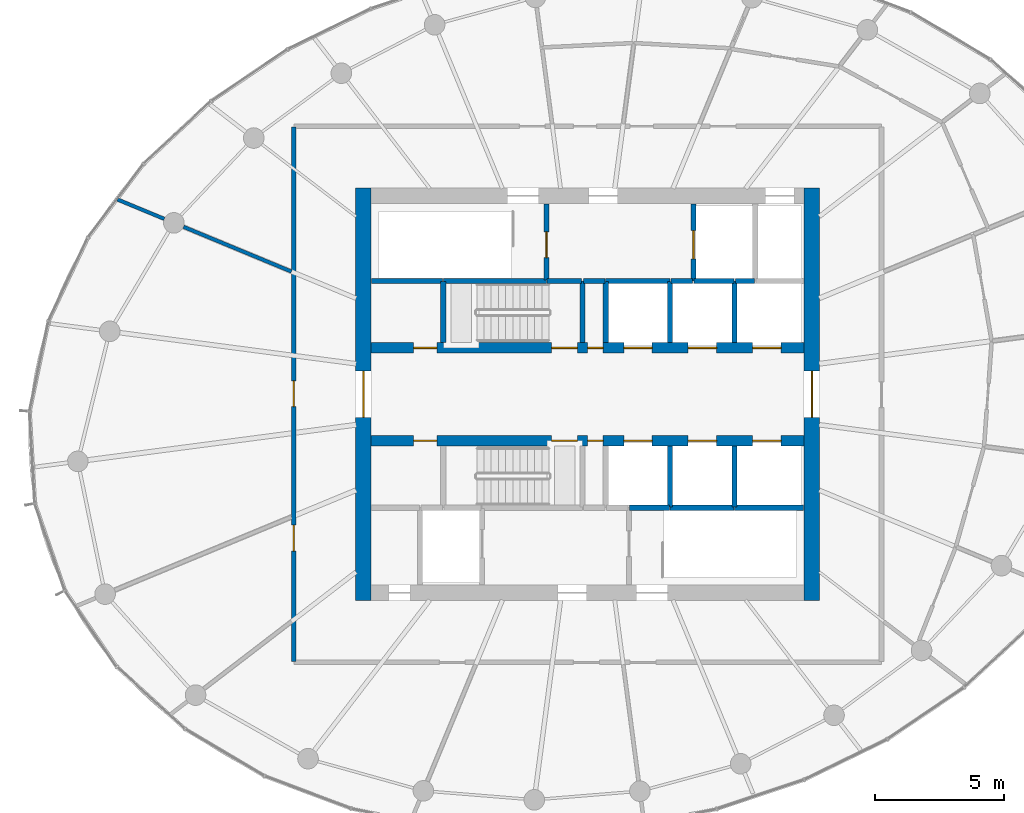
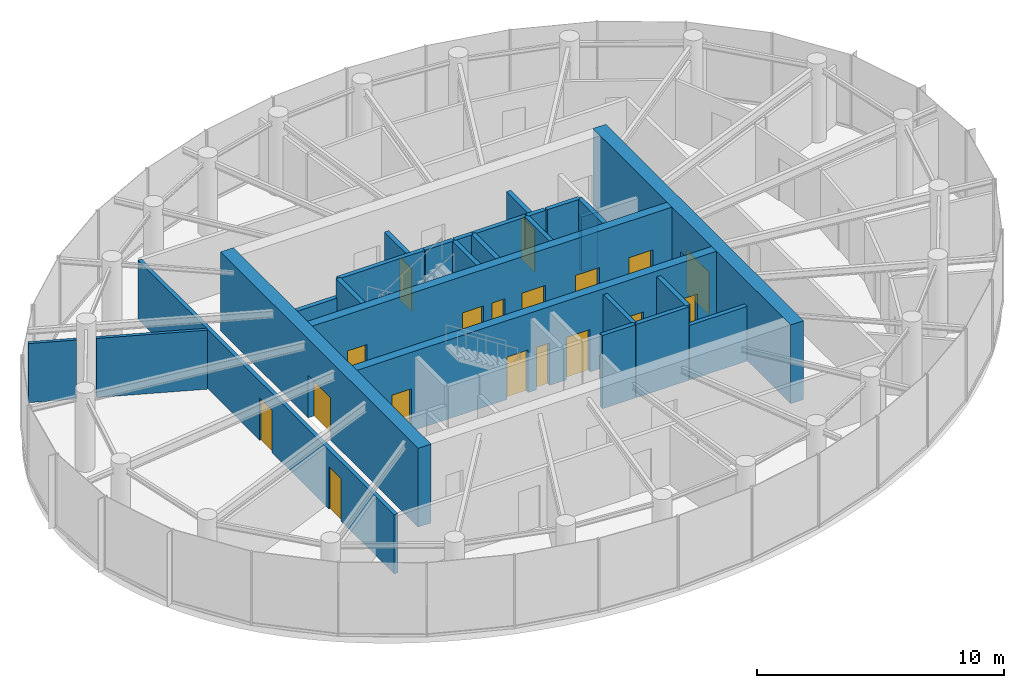
# One storey, part 9 of 13: 27 walls, 18 doors, 18 openings.
"""IFC4 building model written with IfcOpenShell, lengths in metres."""

from ifc_helpers import new_model, si_unit, direction, frame, frame_2d, origin, place, context, subcontext, project, spatial, rectangle, extrude, source, transform, mapped, material, layer, layer_set, type_object, element, fill, save


model = new_model("IFC4")

# Units and contexts
model_context = context("Model", 3, precision=1e-05, world=origin(), true_north=direction((0.0, 1.0)))
body_context = subcontext(model_context, "Body", "Model", "MODEL_VIEW")
ifc_project = project(units=[si_unit("LENGTHUNIT", "METRE"), si_unit("AREAUNIT", "SQUARE_METRE"), si_unit("VOLUMEUNIT", "CUBIC_METRE"), si_unit("PLANEANGLEUNIT", "RADIAN"), si_unit("MASSUNIT", "GRAM", prefix="KILO")], contexts=[model_context])

# Site, building, storey
site_placement = place(None, origin())
site = spatial("IfcSite", under=ifc_project, at=site_placement, CompositionType="ELEMENT")
building_placement = place(site_placement, origin())
building = spatial("IfcBuilding", under=site, at=building_placement, Name="Spindrift Exchange Tower", CompositionType="ELEMENT")
storey_placement = place(building_placement, frame((0.0, 0.0, 265.699951171875)))
storey = spatial("IfcBuildingStorey", under=building, at=storey_placement, Name="L65", CompositionType="ELEMENT", Elevation=265.699951171875)

# Wall, opening, door
ifc_material_1 = material(Name="Concrete 50 MPa", Category="concrete")
ifc_layer_1 = layer(ifc_material_1, 0.60009765625)
ifc_layer_set_1 = layer_set([ifc_layer_1], Name="RC Core Wall 600 Concrete 50 MPa")
wall_type_1 = type_object("IfcWallType", Name="RC Core Wall 600 Concrete 50 MPa", PredefinedType="SHEAR", material=ifc_layer_set_1)
wall_1_placement = place(storey_placement, frame((60.699951171875, 40.0, 0.0), z_axis=(0.0, 0.0, 1.0), x_axis=(0.0, 1.0, 0.0)))
wall_1 = element("IfcWall", 1, at=wall_1_placement, inside=storey, type_object=wall_type_1, Name="Core wall E L65", PredefinedType="SHEAR", context=body_context, shape_type="SweptSolid", body=[
    extrude(rectangle(XDim=16.0, YDim=0.60009765625, at=frame_2d((8.0, 0.0))), origin(), (0.0, 0.0, 1.0), 3.900146484375),
])
opening_1_placement = place(wall_1_placement, frame((7.10009765625, 0.0, 0.0)))
opening_1 = element("IfcOpeningElement", 2, at=opening_1_placement, cuts=wall_1, Name="Opening L65-D2", PredefinedType="OPENING", context=body_context, shape_type="SweptSolid", body=[
    extrude(rectangle(XDim=1.800048828125, YDim=2.10009765625, at=frame_2d((0.89990234375, 1.050048828125))), frame((0.0, 0.31005859375, 0.0), z_axis=(0.0, -1.0, 0.0), x_axis=(1.0, 0.0, 0.0)), (0.0, 0.0, 1.0), 0.6201171875),
])
ifc_material_2 = material(Name="Timber-core fire door", Category="wood")
door_type_1 = type_object("IfcDoorType", Name="DR-LOBBY-1800", OperationType="NOTDEFINED", PredefinedType="DOOR", material=ifc_material_2)
shared_shape_1 = source(origin(), body_context, "Body", "SweptSolid", [
    extrude(rectangle(XDim=1.800048828125, YDim=2.10009765625, at=frame_2d((0.89990234375, 1.050048828125))), frame((0.0, 0.02490234375, 0.0), z_axis=(0.0, -1.0, 0.0), x_axis=(1.0, 0.0, 0.0)), (0.0, 0.0, 1.0), 0.050048828125),
])
door_1_placement = place(opening_1_placement, origin())
door_1 = element("IfcDoor", 3, at=door_1_placement, inside=storey, type_object=door_type_1, Name="L65 Lobby door 2", OperationType="SINGLE_SWING_LEFT", OverallHeight=2.10009765625, OverallWidth=1.800048828125, PredefinedType="DOOR", context=body_context, shape_type="MappedRepresentation", body=[
    mapped(shared_shape_1, transform((0.0, 0.0, 0.0), scale=1.0)),
])
fill(opening_1, door_1)

wall_2_placement = place(storey_placement, frame((43.300048828125, 56.0, 0.0), z_axis=(0.0, 0.0, 1.0), x_axis=(0.0, -1.0, 0.0)))
wall_2 = element("IfcWall", 4, at=wall_2_placement, inside=storey, type_object=wall_type_1, Name="Core wall W L65", PredefinedType="SHEAR", context=body_context, shape_type="SweptSolid", body=[
    extrude(rectangle(XDim=16.0, YDim=0.60009765625, at=frame_2d((8.0, 0.0))), origin(), (0.0, 0.0, 1.0), 3.900146484375),
])
opening_2_placement = place(wall_2_placement, frame((7.10009765625, 0.0, 0.0)))
opening_2 = element("IfcOpeningElement", 5, at=opening_2_placement, cuts=wall_2, Name="Opening L65-D1", PredefinedType="OPENING", context=body_context, shape_type="SweptSolid", body=[
    extrude(rectangle(XDim=1.800048828125, YDim=2.10009765625, at=frame_2d((0.89990234375, 1.050048828125))), frame((0.0, 0.31005859375, 0.0), z_axis=(0.0, -1.0, 0.0), x_axis=(1.0, 0.0, 0.0)), (0.0, 0.0, 1.0), 0.6201171875),
])
door_2_placement = place(opening_2_placement, origin())
door_2 = element("IfcDoor", 6, at=door_2_placement, inside=storey, type_object=door_type_1, Name="L65 Lobby door 1", OperationType="SINGLE_SWING_RIGHT", OverallHeight=2.10009765625, OverallWidth=1.800048828125, PredefinedType="DOOR", context=body_context, shape_type="MappedRepresentation", body=[
    mapped(shared_shape_1, transform((0.0, 0.0, 0.0), scale=1.0)),
])
fill(opening_2, door_2)

# Wall, openings, doors
ifc_layer_2 = layer(ifc_material_1, 0.39990234375)
ifc_layer_set_2 = layer_set([ifc_layer_2], Name="RC Spine Wall 400 Concrete 50 MPa")
wall_type_2 = type_object("IfcWallType", Name="RC Spine Wall 400 Concrete 50 MPa", PredefinedType="SHEAR", material=ifc_layer_set_2)
wall_3_placement = place(storey_placement, frame((43.60009765625, 49.800048828125, 0.0), z_axis=(0.0, 0.0, 1.0), x_axis=(1.0, 0.0, 0.0)))
wall_3 = element("IfcWall", 7, at=wall_3_placement, inside=storey, type_object=wall_type_2, Name="Core spine wall N L65", PredefinedType="SHEAR", context=body_context, shape_type="SweptSolid", body=[
    extrude(rectangle(XDim=16.7998046875, YDim=0.39990234375, at=frame_2d((8.39990234375, 0.0))), origin(), (0.0, 0.0, 1.0), 3.900146484375),
])
opening_3_placement = place(wall_3_placement, frame((9.800048828125, 0.0, 0.0)))
opening_3 = element("IfcOpeningElement", 8, at=opening_3_placement, cuts=wall_3, Name="Opening L65-D3", PredefinedType="OPENING", context=body_context, shape_type="SweptSolid", body=[
    extrude(rectangle(XDim=1.10009765625, YDim=2.10009765625, at=frame_2d((0.550048828125, 1.050048828125))), frame((0.0, 0.2099609375, 0.0), z_axis=(0.0, -1.0, 0.0), x_axis=(1.0, 0.0, 0.0)), (0.0, 0.0, 1.0), 0.419921875),
])
opening_4_placement = place(wall_3_placement, frame((12.300048828125, 0.0, 0.0)))
opening_4 = element("IfcOpeningElement", 9, at=opening_4_placement, cuts=wall_3, Name="Opening L65-D4", PredefinedType="OPENING", context=body_context, shape_type="SweptSolid", body=[
    extrude(rectangle(XDim=1.10009765625, YDim=2.10009765625, at=frame_2d((0.550048828125, 1.050048828125))), frame((0.0, 0.2099609375, 0.0), z_axis=(0.0, -1.0, 0.0), x_axis=(1.0, 0.0, 0.0)), (0.0, 0.0, 1.0), 0.419921875),
])
opening_5_placement = place(wall_3_placement, frame((14.800048828125, 0.0, 0.0)))
opening_5 = element("IfcOpeningElement", 10, at=opening_5_placement, cuts=wall_3, Name="Opening L65-D5", PredefinedType="OPENING", context=body_context, shape_type="SweptSolid", body=[
    extrude(rectangle(XDim=1.10009765625, YDim=2.10009765625, at=frame_2d((0.550048828125, 1.050048828125))), frame((0.0, 0.2099609375, 0.0), z_axis=(0.0, -1.0, 0.0), x_axis=(1.0, 0.0, 0.0)), (0.0, 0.0, 1.0), 0.419921875),
])
opening_6_placement = place(wall_3_placement, frame((7.0, 0.0, 0.0)))
opening_6 = element("IfcOpeningElement", 11, at=opening_6_placement, cuts=wall_3, Name="Opening L65-D19", PredefinedType="OPENING", context=body_context, shape_type="SweptSolid", body=[
    extrude(rectangle(XDim=1.0, YDim=2.10009765625, at=frame_2d((0.5, 1.050048828125))), frame((0.0, 0.2099609375, 0.0), z_axis=(0.0, -1.0, 0.0), x_axis=(1.0, 0.0, 0.0)), (0.0, 0.0, 1.0), 0.419921875),
])
opening_7_placement = place(wall_3_placement, frame((8.39990234375, 0.0, 0.0)))
opening_7 = element("IfcOpeningElement", 12, at=opening_7_placement, cuts=wall_3, Name="Opening L65-D21", PredefinedType="OPENING", context=body_context, shape_type="SweptSolid", body=[
    extrude(rectangle(XDim=0.60009765625, YDim=2.10009765625, at=frame_2d((0.300048828125, 1.050048828125))), frame((0.0, 0.2099609375, 0.0), z_axis=(0.0, -1.0, 0.0), x_axis=(1.0, 0.0, 0.0)), (0.0, 0.0, 1.0), 0.419921875),
])
opening_8_placement = place(wall_3_placement, frame((1.64990234375, 0.0, 0.0)))
opening_8 = element("IfcOpeningElement", 13, at=opening_8_placement, cuts=wall_3, Name="Opening L65-D41", PredefinedType="OPENING", context=body_context, shape_type="SweptSolid", body=[
    extrude(rectangle(XDim=0.89990234375, YDim=2.10009765625, at=frame_2d((0.449951171875, 1.050048828125))), frame((0.0, 0.2099609375, 0.0), z_axis=(0.0, -1.0, 0.0), x_axis=(1.0, 0.0, 0.0)), (0.0, 0.0, 1.0), 0.419921875),
])
ifc_material_3 = material(Name="Stainless steel landing door", Category="steel")
door_type_2 = type_object("IfcDoorType", Name="DR-LANDING-1100-SL", OperationType="DOUBLE_DOOR_SLIDING", PredefinedType="USERDEFINED", material=ifc_material_3)
shared_shape_2 = source(origin(), body_context, "Body", "SweptSolid", [
    extrude(rectangle(XDim=1.10009765625, YDim=2.10009765625, at=frame_2d((0.550048828125, 1.050048828125))), frame((0.0, 0.02490234375, 0.0), z_axis=(0.0, -1.0, 0.0), x_axis=(1.0, 0.0, 0.0)), (0.0, 0.0, 1.0), 0.050048828125),
])
door_3_placement = place(opening_3_placement, origin())
door_3 = element("IfcDoor", 14, at=door_3_placement, inside=storey, type_object=door_type_2, Name="L65 Lift landing door 3", ObjectType="LANDING DOOR", OperationType="DOUBLE_DOOR_SLIDING", OverallHeight=2.10009765625, OverallWidth=1.10009765625, PredefinedType="USERDEFINED", context=body_context, shape_type="MappedRepresentation", body=[
    mapped(shared_shape_2, transform((0.0, 0.0, 0.0), scale=1.0)),
])
fill(opening_3, door_3)
door_4_placement = place(opening_4_placement, origin())
door_4 = element("IfcDoor", 15, at=door_4_placement, inside=storey, type_object=door_type_2, Name="L65 Lift landing door 4", ObjectType="LANDING DOOR", OperationType="DOUBLE_DOOR_SLIDING", OverallHeight=2.10009765625, OverallWidth=1.10009765625, PredefinedType="USERDEFINED", context=body_context, shape_type="MappedRepresentation", body=[
    mapped(shared_shape_2, transform((0.0, 0.0, 0.0), scale=1.0)),
])
fill(opening_4, door_4)
door_5_placement = place(opening_5_placement, origin())
door_5 = element("IfcDoor", 16, at=door_5_placement, inside=storey, type_object=door_type_2, Name="L65 Lift landing door 5", ObjectType="LANDING DOOR", OperationType="DOUBLE_DOOR_SLIDING", OverallHeight=2.10009765625, OverallWidth=1.10009765625, PredefinedType="USERDEFINED", context=body_context, shape_type="MappedRepresentation", body=[
    mapped(shared_shape_2, transform((0.0, 0.0, 0.0), scale=1.0)),
])
fill(opening_5, door_5)
ifc_material_4 = material(Name="Steel fire door", Category="steel")
door_type_3 = type_object("IfcDoorType", Name="DR-STAIR-1000", OperationType="NOTDEFINED", PredefinedType="DOOR", material=ifc_material_4)
shared_shape_3 = source(origin(), body_context, "Body", "SweptSolid", [
    extrude(rectangle(XDim=1.0, YDim=2.10009765625, at=frame_2d((0.5, 1.050048828125))), frame((0.0, 0.02490234375, 0.0), z_axis=(0.0, -1.0, 0.0), x_axis=(1.0, 0.0, 0.0)), (0.0, 0.0, 1.0), 0.050048828125),
])
door_6_placement = place(opening_6_placement, origin())
door_6 = element("IfcDoor", 17, at=door_6_placement, inside=storey, type_object=door_type_3, Name="L65 Stair door 19", OperationType="SINGLE_SWING_LEFT", OverallHeight=2.10009765625, OverallWidth=1.0, PredefinedType="DOOR", context=body_context, shape_type="MappedRepresentation", body=[
    mapped(shared_shape_3, transform((0.0, 0.0, 0.0), scale=1.0)),
])
fill(opening_6, door_6)
ifc_material_5 = material(Name="Steel access door", Category="steel")
door_type_4 = type_object("IfcDoorType", Name="DR-RISER-900", OperationType="NOTDEFINED", PredefinedType="DOOR", material=ifc_material_5)
shared_shape_4 = source(origin(), body_context, "Body", "SweptSolid", [
    extrude(rectangle(XDim=0.89990234375, YDim=2.10009765625, at=frame_2d((0.449951171875, 1.050048828125))), frame((0.0, 0.02490234375, 0.0), z_axis=(0.0, -1.0, 0.0), x_axis=(1.0, 0.0, 0.0)), (0.0, 0.0, 1.0), 0.050048828125),
])
door_7_placement = place(opening_8_placement, origin())
door_7 = element("IfcDoor", 18, at=door_7_placement, inside=storey, type_object=door_type_4, Name="L65 Riser door 41", OperationType="SINGLE_SWING_LEFT", OverallHeight=2.10009765625, OverallWidth=0.89990234375, PredefinedType="DOOR", context=body_context, shape_type="MappedRepresentation", body=[
    mapped(shared_shape_4, transform((0.0, 0.0, 0.0), scale=1.0)),
])
fill(opening_8, door_7)
door_type_5 = type_object("IfcDoorType", Name="DR-RISER-600", OperationType="NOTDEFINED", PredefinedType="DOOR", material=ifc_material_5)
shared_shape_5 = source(origin(), body_context, "Body", "SweptSolid", [
    extrude(rectangle(XDim=0.60009765625, YDim=2.10009765625, at=frame_2d((0.300048828125, 1.050048828125))), frame((0.0, 0.02490234375, 0.0), z_axis=(0.0, -1.0, 0.0), x_axis=(1.0, 0.0, 0.0)), (0.0, 0.0, 1.0), 0.050048828125),
])
door_8_placement = place(opening_7_placement, origin())
door_8 = element("IfcDoor", 19, at=door_8_placement, inside=storey, type_object=door_type_5, Name="L65 Riser door 21", OperationType="SINGLE_SWING_LEFT", OverallHeight=2.10009765625, OverallWidth=0.60009765625, PredefinedType="DOOR", context=body_context, shape_type="MappedRepresentation", body=[
    mapped(shared_shape_5, transform((0.0, 0.0, 0.0), scale=1.0)),
])
fill(opening_7, door_8)

wall_4_placement = place(storey_placement, frame((43.60009765625, 46.199951171875, 0.0), z_axis=(0.0, 0.0, 1.0), x_axis=(1.0, 0.0, 0.0)))
wall_4 = element("IfcWall", 20, at=wall_4_placement, inside=storey, type_object=wall_type_2, Name="Core spine wall S L65", PredefinedType="SHEAR", context=body_context, shape_type="SweptSolid", body=[
    extrude(rectangle(XDim=16.7998046875, YDim=0.39990234375, at=frame_2d((8.39990234375, 0.0))), origin(), (0.0, 0.0, 1.0), 3.900146484375),
])
opening_9_placement = place(wall_4_placement, frame((9.800048828125, 0.0, 0.0)))
opening_9 = element("IfcOpeningElement", 21, at=opening_9_placement, cuts=wall_4, Name="Opening L65-D6", PredefinedType="OPENING", context=body_context, shape_type="SweptSolid", body=[
    extrude(rectangle(XDim=1.10009765625, YDim=2.10009765625, at=frame_2d((0.550048828125, 1.050048828125))), frame((0.0, 0.2099609375, 0.0), z_axis=(0.0, -1.0, 0.0), x_axis=(1.0, 0.0, 0.0)), (0.0, 0.0, 1.0), 0.419921875),
])
opening_10_placement = place(wall_4_placement, frame((12.300048828125, 0.0, 0.0)))
opening_10 = element("IfcOpeningElement", 22, at=opening_10_placement, cuts=wall_4, Name="Opening L65-D7", PredefinedType="OPENING", context=body_context, shape_type="SweptSolid", body=[
    extrude(rectangle(XDim=1.10009765625, YDim=2.10009765625, at=frame_2d((0.550048828125, 1.050048828125))), frame((0.0, 0.2099609375, 0.0), z_axis=(0.0, -1.0, 0.0), x_axis=(1.0, 0.0, 0.0)), (0.0, 0.0, 1.0), 0.419921875),
])
opening_11_placement = place(wall_4_placement, frame((14.800048828125, 0.0, 0.0)))
opening_11 = element("IfcOpeningElement", 23, at=opening_11_placement, cuts=wall_4, Name="Opening L65-D8", PredefinedType="OPENING", context=body_context, shape_type="SweptSolid", body=[
    extrude(rectangle(XDim=1.10009765625, YDim=2.10009765625, at=frame_2d((0.550048828125, 1.050048828125))), frame((0.0, 0.2099609375, 0.0), z_axis=(0.0, -1.0, 0.0), x_axis=(1.0, 0.0, 0.0)), (0.0, 0.0, 1.0), 0.419921875),
])
opening_12_placement = place(wall_4_placement, frame((7.0, 0.0, 0.0)))
opening_12 = element("IfcOpeningElement", 24, at=opening_12_placement, cuts=wall_4, Name="Opening L65-D20", PredefinedType="OPENING", context=body_context, shape_type="SweptSolid", body=[
    extrude(rectangle(XDim=1.0, YDim=2.10009765625, at=frame_2d((0.5, 1.050048828125))), frame((0.0, 0.2099609375, 0.0), z_axis=(0.0, -1.0, 0.0), x_axis=(1.0, 0.0, 0.0)), (0.0, 0.0, 1.0), 0.419921875),
])
opening_13_placement = place(wall_4_placement, frame((8.39990234375, 0.0, 0.0)))
opening_13 = element("IfcOpeningElement", 25, at=opening_13_placement, cuts=wall_4, Name="Opening L65-D22", PredefinedType="OPENING", context=body_context, shape_type="SweptSolid", body=[
    extrude(rectangle(XDim=0.60009765625, YDim=2.10009765625, at=frame_2d((0.300048828125, 1.050048828125))), frame((0.0, 0.2099609375, 0.0), z_axis=(0.0, -1.0, 0.0), x_axis=(1.0, 0.0, 0.0)), (0.0, 0.0, 1.0), 0.419921875),
])
opening_14_placement = place(wall_4_placement, frame((1.64990234375, 0.0, 0.0)))
opening_14 = element("IfcOpeningElement", 26, at=opening_14_placement, cuts=wall_4, Name="Opening L65-D42", PredefinedType="OPENING", context=body_context, shape_type="SweptSolid", body=[
    extrude(rectangle(XDim=0.89990234375, YDim=2.10009765625, at=frame_2d((0.449951171875, 1.050048828125))), frame((0.0, 0.2099609375, 0.0), z_axis=(0.0, -1.0, 0.0), x_axis=(1.0, 0.0, 0.0)), (0.0, 0.0, 1.0), 0.419921875),
])
door_9_placement = place(opening_9_placement, origin())
door_9 = element("IfcDoor", 27, at=door_9_placement, inside=storey, type_object=door_type_2, Name="L65 Lift landing door 6", ObjectType="LANDING DOOR", OperationType="DOUBLE_DOOR_SLIDING", OverallHeight=2.10009765625, OverallWidth=1.10009765625, PredefinedType="USERDEFINED", context=body_context, shape_type="MappedRepresentation", body=[
    mapped(shared_shape_2, transform((0.0, 0.0, 0.0), scale=1.0)),
])
fill(opening_9, door_9)
door_10_placement = place(opening_10_placement, origin())
door_10 = element("IfcDoor", 28, at=door_10_placement, inside=storey, type_object=door_type_2, Name="L65 Lift landing door 7", ObjectType="LANDING DOOR", OperationType="DOUBLE_DOOR_SLIDING", OverallHeight=2.10009765625, OverallWidth=1.10009765625, PredefinedType="USERDEFINED", context=body_context, shape_type="MappedRepresentation", body=[
    mapped(shared_shape_2, transform((0.0, 0.0, 0.0), scale=1.0)),
])
fill(opening_10, door_10)
door_11_placement = place(opening_11_placement, origin())
door_11 = element("IfcDoor", 29, at=door_11_placement, inside=storey, type_object=door_type_2, Name="L65 Lift landing door 8", ObjectType="LANDING DOOR", OperationType="DOUBLE_DOOR_SLIDING", OverallHeight=2.10009765625, OverallWidth=1.10009765625, PredefinedType="USERDEFINED", context=body_context, shape_type="MappedRepresentation", body=[
    mapped(shared_shape_2, transform((0.0, 0.0, 0.0), scale=1.0)),
])
fill(opening_11, door_11)
door_12_placement = place(opening_12_placement, origin())
door_12 = element("IfcDoor", 30, at=door_12_placement, inside=storey, type_object=door_type_3, Name="L65 Stair door 20", OperationType="SINGLE_SWING_RIGHT", OverallHeight=2.10009765625, OverallWidth=1.0, PredefinedType="DOOR", context=body_context, shape_type="MappedRepresentation", body=[
    mapped(shared_shape_3, transform((0.0, 0.0, 0.0), scale=1.0)),
])
fill(opening_12, door_12)
door_13_placement = place(opening_14_placement, origin())
door_13 = element("IfcDoor", 31, at=door_13_placement, inside=storey, type_object=door_type_4, Name="L65 Riser door 42", OperationType="SINGLE_SWING_RIGHT", OverallHeight=2.10009765625, OverallWidth=0.89990234375, PredefinedType="DOOR", context=body_context, shape_type="MappedRepresentation", body=[
    mapped(shared_shape_4, transform((0.0, 0.0, 0.0), scale=1.0)),
])
fill(opening_14, door_13)
door_14_placement = place(opening_13_placement, origin())
door_14 = element("IfcDoor", 32, at=door_14_placement, inside=storey, type_object=door_type_5, Name="L65 Riser door 22", OperationType="SINGLE_SWING_RIGHT", OverallHeight=2.10009765625, OverallWidth=0.60009765625, PredefinedType="DOOR", context=body_context, shape_type="MappedRepresentation", body=[
    mapped(shared_shape_5, transform((0.0, 0.0, 0.0), scale=1.0)),
])
fill(opening_13, door_14)

ifc_material_6 = material(Name="Fire-rated plasterboard partition", Category="gypsum")
ifc_layer_3 = layer(ifc_material_6, 0.179931640625)
ifc_layer_set_3 = layer_set([ifc_layer_3], Name="W-CORR-180")
wall_type_3 = type_object("IfcWallType", Name="W-CORR-180", PredefinedType="PARTITIONING", material=ifc_layer_set_3)
wall_5_placement = place(storey_placement, frame((40.60009765625, 37.6298828125, 0.0), z_axis=(0.0, 0.0, 1.0), x_axis=(0.0, 1.0, 0.0)))
wall_5 = element("IfcWall", 33, at=wall_5_placement, inside=storey, type_object=wall_type_3, Name="L65 Partition wall 38", PredefinedType="PARTITIONING", context=body_context, shape_type="SweptSolid", body=[
    extrude(rectangle(XDim=20.740234375, YDim=0.179931640625, at=frame_2d((10.3701171875, 0.0))), origin(), (0.0, 0.0, 1.0), 2.920166015625),
])
opening_15_placement = place(wall_5_placement, frame((9.889892578125, 0.0, 0.0)))
opening_15 = element("IfcOpeningElement", 34, at=opening_15_placement, cuts=wall_5, Name="Opening L65-D27", PredefinedType="OPENING", context=body_context, shape_type="SweptSolid", body=[
    extrude(rectangle(XDim=1.0, YDim=2.10009765625, at=frame_2d((0.5, 1.050048828125))), frame((0.0, 0.099853515625, 0.0), z_axis=(0.0, -1.0, 0.0), x_axis=(1.0, 0.0, 0.0)), (0.0, 0.0, 1.0), 0.199951171875),
])
opening_16_placement = place(wall_5_placement, frame((4.2900390625, 0.0, 0.0)))
opening_16 = element("IfcOpeningElement", 35, at=opening_16_placement, cuts=wall_5, Name="Opening L65-D28", PredefinedType="OPENING", context=body_context, shape_type="SweptSolid", body=[
    extrude(rectangle(XDim=1.0, YDim=2.10009765625, at=frame_2d((0.5, 1.050048828125))), frame((0.0, 0.099853515625, 0.0), z_axis=(0.0, -1.0, 0.0), x_axis=(1.0, 0.0, 0.0)), (0.0, 0.0, 1.0), 0.199951171875),
])
door_type_6 = type_object("IfcDoorType", Name="DR-ROOM-1000", OperationType="NOTDEFINED", PredefinedType="DOOR", material=ifc_material_2)
shared_shape_6 = source(origin(), body_context, "Body", "SweptSolid", [
    extrude(rectangle(XDim=1.0, YDim=2.10009765625, at=frame_2d((0.5, 1.050048828125))), frame((0.0, 0.02490234375, 0.0), z_axis=(0.0, -1.0, 0.0), x_axis=(1.0, 0.0, 0.0)), (0.0, 0.0, 1.0), 0.050048828125),
])
door_15_placement = place(opening_15_placement, origin())
door_15 = element("IfcDoor", 36, at=door_15_placement, inside=storey, type_object=door_type_6, Name="L65 Door 27", OperationType="SINGLE_SWING_LEFT", OverallHeight=2.10009765625, OverallWidth=1.0, PredefinedType="DOOR", context=body_context, shape_type="MappedRepresentation", body=[
    mapped(shared_shape_6, transform((0.0, 0.0, 0.0), scale=1.0)),
])
fill(opening_15, door_15)
door_16_placement = place(opening_16_placement, origin())
door_16 = element("IfcDoor", 37, at=door_16_placement, inside=storey, type_object=door_type_6, Name="L65 Door 28", OperationType="SINGLE_SWING_RIGHT", OverallHeight=2.10009765625, OverallWidth=1.0, PredefinedType="DOOR", context=body_context, shape_type="MappedRepresentation", body=[
    mapped(shared_shape_6, transform((0.0, 0.0, 0.0), scale=1.0)),
])
fill(opening_16, door_16)

# Walls
ifc_layer_4 = layer(ifc_material_6, 0.139892578125)
ifc_layer_set_4 = layer_set([ifc_layer_4], Name="W-PART-140")
wall_type_4 = type_object("IfcWallType", Name="W-PART-140", PredefinedType="PARTITIONING", material=ifc_layer_set_4)
wall_6_placement = place(storey_placement, frame((40.510009765625, 52.75927734375, 0.0), z_axis=(0.0, 0.0, 1.0), x_axis=(-0.923863854318, 0.382721280679, 0.0)))
element("IfcWall", 38, at=wall_6_placement, inside=storey, type_object=wall_type_4, Name="L65 Partition wall 42", PredefinedType="PARTITIONING", context=body_context, shape_type="SweptSolid", body=[
    extrude(rectangle(XDim=4.5322265625, YDim=0.139892578125, at=frame_2d((2.26611328125, 0.0))), origin(), (0.0, 0.0, 1.0), 2.920166015625),
])
wall_7_placement = place(storey_placement, frame((35.57421875, 54.8037109375, 0.0), z_axis=(0.0, 0.0, 1.0), x_axis=(-0.923874199787, 0.382696306447, 0.0)))
element("IfcWall", 39, at=wall_7_placement, inside=storey, type_object=wall_type_4, Name="L65 Partition wall 59", PredefinedType="PARTITIONING", context=body_context, shape_type="SweptSolid", body=[
    extrude(rectangle(XDim=1.9609375, YDim=0.139892578125, at=frame_2d((0.98046875, 0.0))), origin(), (0.0, 0.0, 1.0), 2.920166015625),
])

# Wall, opening, door
ifc_material_7 = material(Name="Concrete 40 MPa", Category="concrete")
ifc_layer_5 = layer(ifc_material_7, 0.199951171875)
ifc_layer_set_5 = layer_set([ifc_layer_5], Name="W-SHAFT-200")
wall_type_5 = type_object("IfcWallType", Name="W-SHAFT-200", PredefinedType="SOLIDWALL", material=ifc_layer_set_5)
wall_8_placement = place(storey_placement, frame((56.10009765625, 55.3798828125, 0.0), z_axis=(0.0, 0.0, 1.0), x_axis=(0.0, -1.0, 0.0)))
wall_8 = element("IfcWall", 40, at=wall_8_placement, inside=storey, type_object=wall_type_5, Name="L65 Shaft wall 7", PredefinedType="SOLIDWALL", context=body_context, shape_type="SweptSolid", body=[
    extrude(rectangle(XDim=2.97998046875, YDim=0.199951171875, at=frame_2d((1.489990234375, 0.0))), origin(), (0.0, 0.0, 1.0), 2.699951171875),
])
opening_17_placement = place(wall_8_placement, frame((1.030029296875, 0.0, 0.0)))
opening_17 = element("IfcOpeningElement", 41, at=opening_17_placement, cuts=wall_8, Name="Opening L65-D9", PredefinedType="OPENING", context=body_context, shape_type="SweptSolid", body=[
    extrude(rectangle(XDim=1.10009765625, YDim=2.10009765625, at=frame_2d((0.550048828125, 1.050048828125))), frame((0.0, 0.10986328125, 0.0), z_axis=(0.0, -1.0, 0.0), x_axis=(1.0, 0.0, 0.0)), (0.0, 0.0, 1.0), 0.219970703125),
])
door_17_placement = place(opening_17_placement, origin())
door_17 = element("IfcDoor", 42, at=door_17_placement, inside=storey, type_object=door_type_2, Name="L65 Lift landing door 9", ObjectType="LANDING DOOR", OperationType="DOUBLE_DOOR_SLIDING", OverallHeight=2.10009765625, OverallWidth=1.10009765625, PredefinedType="USERDEFINED", context=body_context, shape_type="MappedRepresentation", body=[
    mapped(shared_shape_2, transform((0.0, 0.0, 0.0), scale=1.0)),
])
fill(opening_17, door_17)

# Walls
wall_9_placement = place(storey_placement, frame((55.199951171875, 52.39990234375, 0.0), z_axis=(0.0, 0.0, 1.0), x_axis=(-1.0, 0.0, 0.0)))
element("IfcWall", 43, at=wall_9_placement, inside=storey, type_object=wall_type_5, Name="L65 Shaft wall 11", PredefinedType="SOLIDWALL", context=body_context, shape_type="SweptSolid", body=[
    extrude(rectangle(XDim=2.5, YDim=0.199951171875, at=frame_2d((1.25, 0.0))), origin(), (0.0, 0.0, 1.0), 3.6201171875),
])
for number, where, z_axis, x_axis, name in (
    (44, (52.699951171875, 52.3701171875, 0.0), (0.0, 0.0, 1.0), (0.0, -1.0, 0.0), "L65 Shaft wall 18"),
    (45, (55.199951171875, 50.010009765625, 0.0), (0.0, 0.0, 1.0), (0.0, 1.0, 0.0), "L65 Shaft wall 20"),
):
    element("IfcWall", number, at=place(storey_placement, frame(where, z_axis=z_axis, x_axis=x_axis)), inside=storey, type_object=wall_type_5, Name=name, PredefinedType="SOLIDWALL", context=body_context, shape_type="SweptSolid", body=[
        extrude(rectangle(XDim=2.360107421875, YDim=0.199951171875, at=frame_2d((1.18017578125, 0.0))), origin(), (0.0, 0.0, 1.0), 3.6201171875),
    ])
wall_10_placement = place(storey_placement, frame((57.699951171875, 50.010009765625, 0.0), z_axis=(0.0, 0.0, 1.0), x_axis=(0.0, 1.0, 0.0)))
element("IfcWall", 46, at=wall_10_placement, inside=storey, type_object=wall_type_5, Name="L65 Shaft wall 22", PredefinedType="SOLIDWALL", context=body_context, shape_type="SweptSolid", body=[
    extrude(rectangle(XDim=2.389892578125, YDim=0.199951171875, at=frame_2d((1.19482421875, 0.0))), origin(), (0.0, 0.0, 1.0), 3.6201171875),
])
wall_11_placement = place(storey_placement, frame((57.669921875, 52.39990234375, 0.0), z_axis=(0.0, 0.0, 1.0), x_axis=(-1.0, 0.0, 0.0)))
element("IfcWall", 47, at=wall_11_placement, inside=storey, type_object=wall_type_5, Name="L65 Shaft wall 26", PredefinedType="SOLIDWALL", context=body_context, shape_type="SweptSolid", body=[
    extrude(rectangle(XDim=1.5400390625, YDim=0.199951171875, at=frame_2d((0.77001953125, 0.0))), origin(), (0.0, 0.0, 1.0), 3.6201171875),
])
wall_12_placement = place(storey_placement, frame((56.070068359375, 52.39990234375, 0.0), z_axis=(0.0, 0.0, 1.0), x_axis=(-1.0, 0.0, 0.0)))
element("IfcWall", 48, at=wall_12_placement, inside=storey, type_object=wall_type_5, Name="L65 Shaft wall 33", PredefinedType="SOLIDWALL", context=body_context, shape_type="SweptSolid", body=[
    extrude(rectangle(XDim=0.840087890625, YDim=0.199951171875, at=frame_2d((0.419921875, 0.0))), origin(), (0.0, 0.0, 1.0), 3.6201171875),
])
wall_13_placement = place(storey_placement, frame((58.469970703125, 52.39990234375, 0.0), z_axis=(0.0, 0.0, 1.0), x_axis=(-1.0, 0.0, 0.0)))
element("IfcWall", 49, at=wall_13_placement, inside=storey, type_object=wall_type_5, Name="L65 Shaft wall 34", PredefinedType="SOLIDWALL", context=body_context, shape_type="SweptSolid", body=[
    extrude(rectangle(XDim=0.739990234375, YDim=0.199951171875, at=frame_2d((0.3701171875, 0.0))), origin(), (0.0, 0.0, 1.0), 2.699951171875),
])
ifc_layer_6 = layer(ifc_material_7, 0.199951171875)
ifc_layer_set_6 = layer_set([ifc_layer_6], Name="W-SHAFT-200-LB")
wall_type_6 = type_object("IfcWallType", Name="W-SHAFT-200-LB", PredefinedType="SOLIDWALL", material=ifc_layer_set_6)
wall_14_placement = place(storey_placement, frame((46.39990234375, 52.39990234375, 0.0), z_axis=(0.0, 0.0, 1.0), x_axis=(1.0, 0.0, 0.0)))
element("IfcWall", 50, at=wall_14_placement, inside=storey, type_object=wall_type_6, Name="L65 Shaft wall 1", PredefinedType="SOLIDWALL", context=body_context, shape_type="SweptSolid", body=[
    extrude(rectangle(XDim=4.0, YDim=0.199951171875, at=frame_2d((2.0, 0.0))), origin(), (0.0, 0.0, 1.0), 3.6201171875),
])

# Wall, opening, door
wall_15_placement = place(storey_placement, frame((50.39990234375, 52.429931640625, 0.0), z_axis=(0.0, 0.0, 1.0), x_axis=(0.0, 1.0, 0.0)))
wall_15 = element("IfcWall", 51, at=wall_15_placement, inside=storey, type_object=wall_type_6, Name="L65 Shaft wall 5", PredefinedType="SOLIDWALL", context=body_context, shape_type="SweptSolid", body=[
    extrude(rectangle(XDim=2.949951171875, YDim=0.199951171875, at=frame_2d((1.47509765625, 0.0))), origin(), (0.0, 0.0, 1.0), 2.699951171875),
])
opening_18_placement = place(wall_15_placement, frame((0.8701171875, 0.0, 0.0)))
opening_18 = element("IfcOpeningElement", 52, at=opening_18_placement, cuts=wall_15, Name="Opening L65-D13", PredefinedType="OPENING", context=body_context, shape_type="SweptSolid", body=[
    extrude(rectangle(XDim=1.0, YDim=2.10009765625, at=frame_2d((0.5, 1.050048828125))), frame((0.0, 0.10986328125, 0.0), z_axis=(0.0, -1.0, 0.0), x_axis=(1.0, 0.0, 0.0)), (0.0, 0.0, 1.0), 0.219970703125),
])
door_18_placement = place(opening_18_placement, origin())
door_18 = element("IfcDoor", 53, at=door_18_placement, inside=storey, type_object=door_type_3, Name="L65 Stair door 13", OperationType="SINGLE_SWING_LEFT", OverallHeight=2.10009765625, OverallWidth=1.0, PredefinedType="DOOR", context=body_context, shape_type="MappedRepresentation", body=[
    mapped(shared_shape_3, transform((0.0, 0.0, 0.0), scale=1.0)),
])
fill(opening_18, door_18)

# Walls
wall_16_placement = place(storey_placement, frame((43.6201171875, 52.39990234375, 0.0), z_axis=(0.0, 0.0, 1.0), x_axis=(1.0, 0.0, 0.0)))
element("IfcWall", 54, at=wall_16_placement, inside=storey, type_object=wall_type_6, Name="L65 Shaft wall 9", PredefinedType="SOLIDWALL", context=body_context, shape_type="SweptSolid", body=[
    extrude(rectangle(XDim=2.75, YDim=0.199951171875, at=frame_2d((1.375, 0.0))), origin(), (0.0, 0.0, 1.0), 2.699951171875),
])
wall_17_placement = place(storey_placement, frame((57.699951171875, 43.60009765625, 0.0), z_axis=(0.0, 0.0, 1.0), x_axis=(1.0, 0.0, 0.0)))
element("IfcWall", 55, at=wall_17_placement, inside=storey, type_object=wall_type_6, Name="L65 Shaft wall 10", PredefinedType="SOLIDWALL", context=body_context, shape_type="SweptSolid", body=[
    extrude(rectangle(XDim=2.679931640625, YDim=0.199951171875, at=frame_2d((1.33984375, 0.0))), origin(), (0.0, 0.0, 1.0), 2.699951171875),
])
wall_18_placement = place(storey_placement, frame((55.199951171875, 43.60009765625, 0.0), z_axis=(0.0, 0.0, 1.0), x_axis=(1.0, 0.0, 0.0)))
element("IfcWall", 56, at=wall_18_placement, inside=storey, type_object=wall_type_6, Name="L65 Shaft wall 12", PredefinedType="SOLIDWALL", context=body_context, shape_type="SweptSolid", body=[
    extrude(rectangle(XDim=2.469970703125, YDim=0.199951171875, at=frame_2d((1.23486328125, 0.0))), origin(), (0.0, 0.0, 1.0), 3.6201171875),
])
wall_19_placement = place(storey_placement, frame((46.39990234375, 52.3701171875, 0.0), z_axis=(0.0, 0.0, 1.0), x_axis=(0.0, -1.0, 0.0)))
element("IfcWall", 57, at=wall_19_placement, inside=storey, type_object=wall_type_6, Name="L65 Shaft wall 14", PredefinedType="SOLIDWALL", context=body_context, shape_type="SweptSolid", body=[
    extrude(rectangle(XDim=2.360107421875, YDim=0.199951171875, at=frame_2d((1.18017578125, 0.0))), origin(), (0.0, 0.0, 1.0), 3.6201171875),
])
wall_20_placement = place(storey_placement, frame((51.800048828125, 50.010009765625, 0.0), z_axis=(0.0, 0.0, 1.0), x_axis=(0.0, 1.0, 0.0)))
element("IfcWall", 58, at=wall_20_placement, inside=storey, type_object=wall_type_6, Name="L65 Shaft wall 16", PredefinedType="SOLIDWALL", context=body_context, shape_type="SweptSolid", body=[
    extrude(rectangle(XDim=2.389892578125, YDim=0.199951171875, at=frame_2d((1.19482421875, 0.0))), origin(), (0.0, 0.0, 1.0), 3.6201171875),
])
for number, where, z_axis, x_axis, name in (
    (59, (55.199951171875, 43.6298828125, 0.0), (0.0, 0.0, 1.0), (0.0, 1.0, 0.0), "L65 Shaft wall 19"),
    (60, (57.699951171875, 43.6298828125, 0.0), (0.0, 0.0, 1.0), (0.0, 1.0, 0.0), "L65 Shaft wall 21"),
):
    element("IfcWall", number, at=place(storey_placement, frame(where, z_axis=z_axis, x_axis=x_axis)), inside=storey, type_object=wall_type_6, Name=name, PredefinedType="SOLIDWALL", context=body_context, shape_type="SweptSolid", body=[
        extrude(rectangle(XDim=2.360107421875, YDim=0.199951171875, at=frame_2d((1.18017578125, 0.0))), origin(), (0.0, 0.0, 1.0), 3.6201171875),
    ])
wall_21_placement = place(storey_placement, frame((53.6298828125, 43.60009765625, 0.0), z_axis=(0.0, 0.0, 1.0), x_axis=(1.0, 0.0, 0.0)))
element("IfcWall", 61, at=wall_21_placement, inside=storey, type_object=wall_type_6, Name="L65 Shaft wall 25", PredefinedType="SOLIDWALL", context=body_context, shape_type="SweptSolid", body=[
    extrude(rectangle(XDim=1.5400390625, YDim=0.199951171875, at=frame_2d((0.77001953125, 0.0))), origin(), (0.0, 0.0, 1.0), 3.6201171875),
])
wall_22_placement = place(storey_placement, frame((50.429931640625, 52.39990234375, 0.0), z_axis=(0.0, 0.0, 1.0), x_axis=(1.0, 0.0, 0.0)))
element("IfcWall", 62, at=wall_22_placement, inside=storey, type_object=wall_type_6, Name="L65 Shaft wall 28", PredefinedType="SOLIDWALL", context=body_context, shape_type="SweptSolid", body=[
    extrude(rectangle(XDim=1.340087890625, YDim=0.199951171875, at=frame_2d((0.669921875, 0.0))), origin(), (0.0, 0.0, 1.0), 3.6201171875),
])
wall_23_placement = place(storey_placement, frame((51.830078125, 52.39990234375, 0.0), z_axis=(0.0, 0.0, 1.0), x_axis=(1.0, 0.0, 0.0)))
element("IfcWall", 63, at=wall_23_placement, inside=storey, type_object=wall_type_6, Name="L65 Shaft wall 30", PredefinedType="SOLIDWALL", context=body_context, shape_type="SweptSolid", body=[
    extrude(rectangle(XDim=0.83984375, YDim=0.199951171875, at=frame_2d((0.419921875, 0.0))), origin(), (0.0, 0.0, 1.0), 3.6201171875),
])

save(model, "model.ifc")
